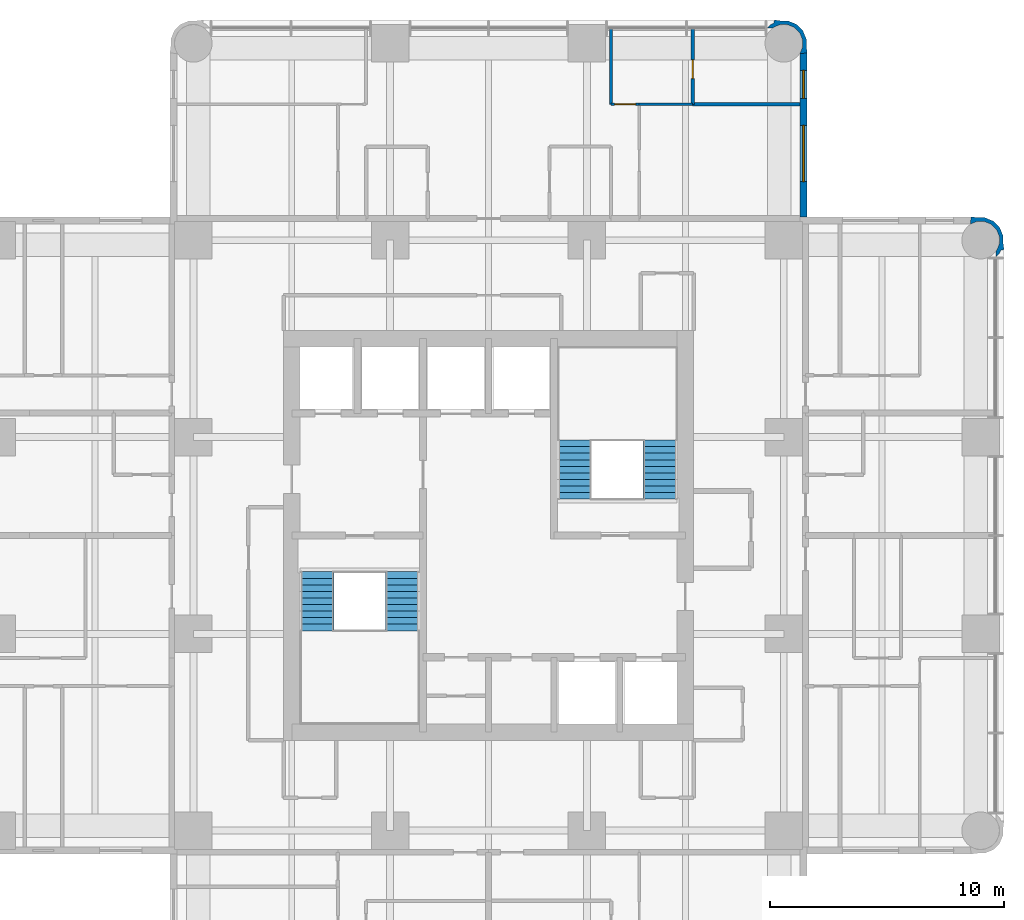
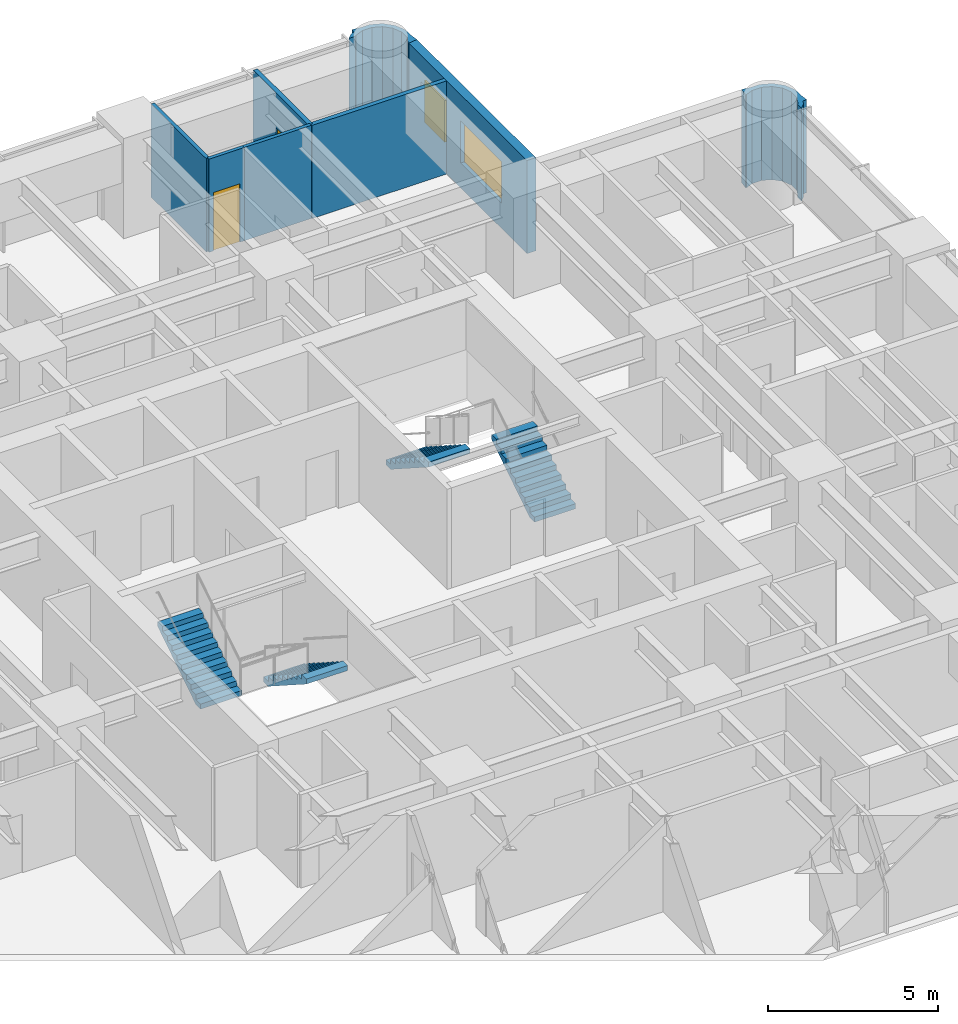
# One storey, part 10 of 11: 8 walls, 4 stair flights, 2 doors, 2 windows, 4 openings, 2 elements without a shape of their own.
"""IFC4 building model written with IfcOpenShell, lengths in metres."""

from ifc_helpers import new_model, si_unit, direction, frame, frame_2d, origin, place, context, subcontext, project, spatial, polyline, rectangle, outline, extrude, material, layer, layer_set, type_object, element, fill, aggregate, save


model = new_model("IFC4")

# Units and contexts
model_context = context("Model", 3, precision=1e-05, world=origin(), true_north=direction((0.0, 1.0)))
body_context = subcontext(model_context, "Body", "Model", "MODEL_VIEW")
ifc_project = project(units=[si_unit("LENGTHUNIT", "METRE"), si_unit("AREAUNIT", "SQUARE_METRE"), si_unit("VOLUMEUNIT", "CUBIC_METRE"), si_unit("PLANEANGLEUNIT", "RADIAN"), si_unit("MASSUNIT", "GRAM", prefix="KILO")], contexts=[model_context])

# Site, building, storey
site_placement = place(None, origin())
site = spatial("IfcSite", under=ifc_project, at=site_placement, CompositionType="ELEMENT")
building_placement = place(site_placement, origin())
building = spatial("IfcBuilding", under=site, at=building_placement, Name="Torre Alcanfor", CompositionType="ELEMENT")
storey_placement = place(building_placement, frame((0.0, 0.0, 244.5)))
storey = spatial("IfcBuildingStorey", under=building, at=storey_placement, Name="L64", CompositionType="ELEMENT", Elevation=244.5)

# Wall
ifc_material_1 = material(Name="Gypsum board on steel studs", Category="steel")
ifc_layer_1 = layer(ifc_material_1, 0.1201171875)
ifc_layer_set_1 = layer_set([ifc_layer_1], Name="Apartment partition 120")
wall_type_1 = type_object("IfcWallType", Name="Apartment partition 120", PredefinedType="PARTITIONING", material=ifc_layer_set_1)
wall_1_placement = place(storey_placement, frame((34.62890625, 51.050048828125, 0.0), z_axis=(0.0, 0.0, 1.0), x_axis=(0.0, -1.0, 0.0)))
element("IfcWall", 1, at=wall_1_placement, inside=storey, type_object=wall_type_1, Name="Partition L64-NX-LIVING / L64-NX-BED1", PredefinedType="PARTITIONING", context=body_context, shape_type="SweptSolid", body=[
    extrude(rectangle(XDim=3.25, YDim=0.1201171875, at=frame_2d((1.625, 0.0))), origin(), (0.0, 0.0, 1.0), 3.35009765625),
])

# Wall, opening, door
wall_2_placement = place(storey_placement, frame((34.62890625, 47.800048828125, 0.0), z_axis=(0.0, 0.0, 1.0), x_axis=(1.0, 0.0, 0.0)))
wall_2 = element("IfcWall", 2, at=wall_2_placement, inside=storey, type_object=wall_type_1, Name="Partition L64-NX-LIVING / L64-NX-BED1", PredefinedType="PARTITIONING", context=body_context, shape_type="SweptSolid", body=[
    extrude(rectangle(XDim=1.2001953125, YDim=0.1201171875, at=frame_2d((0.60009765625, 0.0))), origin(), (0.0, 0.0, 1.0), 3.35009765625),
])
opening_1_placement = place(wall_2_placement, frame((0.15087890625, 0.0, 0.0)))
opening_1 = element("IfcOpeningElement", 3, at=opening_1_placement, cuts=wall_2, Name="Opening D-R1", PredefinedType="OPENING", context=body_context, shape_type="SweptSolid", body=[
    extrude(rectangle(XDim=0.89990234375, YDim=2.10009765625, at=frame_2d((0.449951171875, 1.050048828125))), frame((0.0, 0.070068359375, 0.0), z_axis=(0.0, -1.0, 0.0), x_axis=(1.0, 0.0, 0.0)), (0.0, 0.0, 1.0), 0.14013671875),
])
ifc_material_2 = material(Name="Timber", Category="wood")
door_type_1 = type_object("IfcDoorType", Name="Internal door 900x2100", OperationType="SINGLE_SWING_LEFT", PredefinedType="DOOR", material=ifc_material_2)
door_1_placement = place(opening_1_placement, origin())
door_1 = element("IfcDoor", 4, at=door_1_placement, inside=storey, type_object=door_type_1, Name="Door L64-NX bed1", OperationType="SINGLE_SWING_LEFT", OverallHeight=2.10009765625, OverallWidth=0.89990234375, PredefinedType="DOOR", context=body_context, shape_type="SweptSolid", body=[
    extrude(rectangle(XDim=0.89990234375, YDim=2.10009765625, at=frame_2d((0.449951171875, 1.050048828125))), frame((0.0, 0.02490234375, 0.0), z_axis=(0.0, -1.0, 0.0), x_axis=(1.0, 0.0, 0.0)), (0.0, 0.0, 1.0), 0.050048828125),
])
fill(opening_1, door_1)

# Wall
wall_3_placement = place(storey_placement, frame((38.114013671875, 47.800048828125, 0.0), z_axis=(0.0, 0.0, 1.0), x_axis=(-1.0, 0.0, 0.0)))
element("IfcWall", 5, at=wall_3_placement, inside=storey, type_object=wall_type_1, Name="Partition L64-NX-BED3 / L64-NX-BED1", PredefinedType="PARTITIONING", context=body_context, shape_type="SweptSolid", body=[
    extrude(rectangle(XDim=2.284912109375, YDim=0.1201171875, at=frame_2d((1.142578125, 0.0))), origin(), (0.0, 0.0, 1.0), 3.35009765625),
])

# Wall, openings, windows
ifc_material_3 = material(Name="Limestone cladding", Category="masonry")
ifc_layer_2 = layer(ifc_material_3, 0.0400390625, Name="Facing")
ifc_material_4 = material(Name="Ventilated air cavity")
ifc_layer_3 = layer(ifc_material_4, 0.02001953125, ventilated=True, Name="Ventilated joint")
ifc_material_5 = material(Name="Mineral wool insulation", Category="insulation")
ifc_layer_4 = layer(ifc_material_5, 0.10009765625, Name="Insulation")
ifc_material_6 = material(Name="Concrete f'c 35 MPa", Category="concrete")
ifc_layer_5 = layer(ifc_material_6, 0.139892578125, Name="Backing")
ifc_layer_set_2 = layer_set([ifc_layer_2, ifc_layer_3, ifc_layer_4, ifc_layer_5], Name="External wall stone-clad 300")
wall_type_2 = type_object("IfcWallType", Name="External wall stone-clad 300", PredefinedType="SOLIDWALL", material=ifc_layer_set_2)
wall_4_placement = place(storey_placement, frame((42.85009765625, 43.0, 0.0), z_axis=(0.0, 0.0, 1.0), x_axis=(0.0, 1.0, 0.0)))
wall_4 = element("IfcWall", 6, at=wall_4_placement, inside=storey, type_object=wall_type_2, Name="External wall L64 10", PredefinedType="SOLIDWALL", context=body_context, shape_type="SweptSolid", body=[
    extrude(rectangle(XDim=7.0, YDim=0.300048828125, at=frame_2d((3.5, 0.0))), origin(), (0.0, 0.0, 1.0), 3.35009765625),
])
opening_2_placement = place(wall_4_placement, frame((1.5, 0.0, 0.89990234375)))
opening_2 = element("IfcOpeningElement", 7, at=opening_2_placement, cuts=wall_4, Name="Opening W1", PredefinedType="OPENING", context=body_context, shape_type="SweptSolid", body=[
    extrude(rectangle(XDim=2.39990234375, YDim=1.5, at=frame_2d((1.199951171875, 0.75))), frame((0.0, 0.159912109375, 0.0), z_axis=(0.0, -1.0, 0.0), x_axis=(1.0, 0.0, 0.0)), (0.0, 0.0, 1.0), 0.320068359375),
])
opening_3_placement = place(wall_4_placement, frame((5.050048828125, 0.0, 0.89990234375)))
opening_3 = element("IfcOpeningElement", 8, at=opening_3_placement, cuts=wall_4, Name="Opening W4", PredefinedType="OPENING", context=body_context, shape_type="SweptSolid", body=[
    extrude(rectangle(XDim=1.199951171875, YDim=1.5, at=frame_2d((0.60009765625, 0.75))), frame((0.0, 0.159912109375, 0.0), z_axis=(0.0, -1.0, 0.0), x_axis=(1.0, 0.0, 0.0)), (0.0, 0.0, 1.0), 0.320068359375),
])
ifc_material_7 = material(Name="Aluminium frame with clear double glazing", Category="aluminium")
window_type_1 = type_object("IfcWindowType", Name="Window bedroom 1200x1500", PartitioningType="SINGLE_PANEL", PredefinedType="WINDOW", material=ifc_material_7)
window_1_placement = place(opening_3_placement, origin())
window_1 = element("IfcWindow", 9, at=window_1_placement, inside=storey, type_object=window_type_1, Name="Window W4 L64-N2", OverallHeight=1.5, OverallWidth=1.199951171875, PartitioningType="SINGLE_PANEL", PredefinedType="WINDOW", context=body_context, shape_type="SweptSolid", body=[
    extrude(rectangle(XDim=1.199951171875, YDim=1.5, at=frame_2d((0.60009765625, 0.75))), frame((0.0, 0.030029296875, 0.0), z_axis=(0.0, -1.0, 0.0), x_axis=(1.0, 0.0, 0.0)), (0.0, 0.0, 1.0), 0.06005859375),
])
fill(opening_3, window_1)
ifc_material_8 = material(Name="Aluminium frame with clear double glazing", Category="aluminium")
window_type_2 = type_object("IfcWindowType", Name="Window bedroom 2400x1500", PartitioningType="SINGLE_PANEL", PredefinedType="WINDOW", material=ifc_material_8)
window_2_placement = place(opening_2_placement, origin())
window_2 = element("IfcWindow", 10, at=window_2_placement, inside=storey, type_object=window_type_2, Name="Window W1 L64-N2", OverallHeight=1.5, OverallWidth=2.39990234375, PartitioningType="SINGLE_PANEL", PredefinedType="WINDOW", context=body_context, shape_type="SweptSolid", body=[
    extrude(rectangle(XDim=2.39990234375, YDim=1.5, at=frame_2d((1.199951171875, 0.75))), frame((0.0, 0.030029296875, 0.0), z_axis=(0.0, -1.0, 0.0), x_axis=(1.0, 0.0, 0.0)), (0.0, 0.0, 1.0), 0.06005859375),
])
fill(opening_2, window_2)

# Walls
ifc_layer_6 = layer(ifc_material_3, 0.0400390625, Name="Facing")
ifc_layer_7 = layer(ifc_material_4, 0.02001953125, ventilated=True, Name="Ventilated joint")
ifc_layer_8 = layer(ifc_material_5, 0.10009765625, Name="Insulation")
ifc_layer_9 = layer(ifc_material_6, 0.139892578125, Name="Backing")
ifc_layer_set_3 = layer_set([ifc_layer_6, ifc_layer_7, ifc_layer_8, ifc_layer_9], Name="Rounded corner pier stone-clad 300")
wall_type_3 = type_object("IfcWallType", Name="Rounded corner pier stone-clad 300", PredefinedType="SOLIDWALL", material=ifc_layer_set_3)
wall_5_placement = place(storey_placement, frame((50.995317512, 41.351928198, 0.0), z_axis=(0.0, 0.0, 1.0), x_axis=(0.93923434088, 0.343276641956, 0.0)))
element("IfcWall", 11, at=wall_5_placement, inside=storey, type_object=wall_type_3, Name="Corner pier L64 18", PredefinedType="SOLIDWALL", context=body_context, shape_type="SweptSolid", body=[
    extrude(outline(polyline([(0.532070859575347, 0.3931211644652769), (0.6306288016994257, 0.6627841490537395), (0.6143771848633752, 1.0443311048893273), (0.45345696635520466, 1.3906341192975507), (0.17231172366982617, 1.649090202748046), (-0.09758056617764022, 1.74773195264604), (-0.36909183345629537, 1.8895948858729632), (-0.5092390395564855, 1.6213555819315348), (-0.49066531357717813, 1.6145671522444172), (-0.47932809452638603, 1.6086040111878088), (-0.2113001838193056, 1.620076634704648), (0.08794317918064642, 1.5107074897455302), (0.32266524235562133, 1.295211990161107), (0.4568756133186334, 1.0059793555180252), (0.4702267622199973, 0.6876171339758476), (0.3609414250347944, 0.3886030762348993), (0.14544592545037124, 0.1538810130599244), (0.10810166675911574, 0.13633750707535794), (0.030998514757285493, -0.07462333120813314), (0.24109735984581876, 0.023005481286426002), (0.3334973043867029, 0.12362143657357082), (0.46519074604266464, 0.09420475511640602), (0.532070859575347, 0.3931211644652769)])), origin(), (0.0, 0.0, 1.0), 3.35009765625),
])
wall_6_placement = place(storey_placement, frame((42.817059488, 50.073176205, 0.0), z_axis=(0.0, 0.0, 1.0), x_axis=(0.343276641956, 0.93923434088, 0.0)))
element("IfcWall", 12, at=wall_6_placement, inside=storey, type_object=wall_type_3, Name="Corner pier L64 19", PredefinedType="SOLIDWALL", context=body_context, shape_type="SweptSolid", body=[
    extrude(outline(polyline([(0.2655808672444785, -0.0550807599050476), (0.5354731570919448, 0.04356098999294611), (0.8166183997773234, 0.30201707344344164), (0.9775386182854939, 0.6483200878516648), (0.9937902351215443, 1.0298670436872528), (0.8952322929974657, 1.2995300282757154), (0.8283521794647835, 1.5984464376245864), (0.6966587378088214, 1.5690297561674216), (0.6042587932679374, 1.6696457114545662), (0.39415994817940425, 1.7672745239491254), (0.47126310018123446, 1.5563136856656343), (0.50860735887249, 1.538770179681068), (0.7241028584569131, 1.304048116506093), (0.833388195642116, 1.0050340587651447), (0.8200370467407522, 0.686671837222967), (0.68582667577774, 0.3974392025798854), (0.4511046126027651, 0.18194370299546214), (0.15186124960281305, 0.07257455803634424), (-0.11616666110426738, 0.08404718155318341), (-0.12750388015505948, 0.07808404049657515), (-0.14607760613436685, 0.07129561080945748), (-0.0059304000341767055, -0.19694369313197083), (0.2655808672444785, -0.0550807599050476)])), origin(), (0.0, 0.0, 1.0), 3.35009765625),
])
ifc_material_9 = material(Name="Cement board on steel studs", Category="steel")
ifc_layer_10 = layer(ifc_material_9, 0.14990234375)
ifc_layer_set_4 = layer_set([ifc_layer_10], Name="Wet area partition 150")
wall_type_4 = type_object("IfcWallType", Name="Wet area partition 150", PredefinedType="PARTITIONING", material=ifc_layer_set_4)
wall_7_placement = place(storey_placement, frame((42.699951171875, 47.800048828125, 0.0), z_axis=(0.0, 0.0, 1.0), x_axis=(-1.0, 0.0, 0.0)))
element("IfcWall", 13, at=wall_7_placement, inside=storey, type_object=wall_type_4, Name="Partition L64-NX-BED3 / L64-NX-BATH1", PredefinedType="PARTITIONING", context=body_context, shape_type="SweptSolid", body=[
    extrude(rectangle(XDim=4.5859375, YDim=0.14990234375, at=frame_2d((2.29296875, 0.0))), origin(), (0.0, 0.0, 1.0), 3.35009765625),
])

# Wall, opening, door
wall_8_placement = place(storey_placement, frame((38.114013671875, 51.050048828125, 0.0), z_axis=(0.0, 0.0, 1.0), x_axis=(0.0, -1.0, 0.0)))
wall_8 = element("IfcWall", 14, at=wall_8_placement, inside=storey, type_object=wall_type_4, Name="Partition L64-NX-BATH1 / L64-NX-BED1", PredefinedType="PARTITIONING", context=body_context, shape_type="SweptSolid", body=[
    extrude(rectangle(XDim=3.25, YDim=0.14990234375, at=frame_2d((1.625, 0.0))), origin(), (0.0, 0.0, 1.0), 3.35009765625),
])
opening_4_placement = place(wall_8_placement, frame((1.35009765625, 0.0, 0.0)))
opening_4 = element("IfcOpeningElement", 15, at=opening_4_placement, cuts=wall_8, Name="Opening D-R2", PredefinedType="OPENING", context=body_context, shape_type="SweptSolid", body=[
    extrude(rectangle(XDim=0.800048828125, YDim=2.10009765625, at=frame_2d((0.39990234375, 1.050048828125))), frame((0.0, 0.0849609375, 0.0), z_axis=(0.0, -1.0, 0.0), x_axis=(1.0, 0.0, 0.0)), (0.0, 0.0, 1.0), 0.169921875),
])
ifc_material_10 = material(Name="Timber", Category="wood")
door_type_2 = type_object("IfcDoorType", Name="Bathroom door 800x2100", OperationType="SINGLE_SWING_LEFT", PredefinedType="DOOR", material=ifc_material_10)
door_2_placement = place(opening_4_placement, frame((0.800048828125, 0.0, 0.0), z_axis=(0.0, 0.0, 1.0), x_axis=(-1.0, 0.0, 0.0)))
door_2 = element("IfcDoor", 16, at=door_2_placement, inside=storey, type_object=door_type_2, Name="Door L64-NX bath1", OperationType="SINGLE_SWING_LEFT", OverallHeight=2.10009765625, OverallWidth=0.800048828125, PredefinedType="DOOR", context=body_context, shape_type="SweptSolid", body=[
    extrude(rectangle(XDim=0.800048828125, YDim=2.10009765625, at=frame_2d((0.400146484375, 1.050048828125))), frame((0.0, 0.025146484375, 0.0), z_axis=(0.0, -1.0, 0.0), x_axis=(1.0, 0.0, 0.0)), (0.0, 0.0, 1.0), 0.050048828125),
])
fill(opening_4, door_2)

# Stair, stair flights
ifc_material_11 = material(Name="Concrete f'c 35 MPa", Category="concrete")
stair_type_1 = type_object("IfcStairType", Name="Exit stair S1 1400 wide", PredefinedType="HALF_TURN_STAIR", material=ifc_material_11)
stair_1_placement = place(storey_placement, origin())
stair_1 = element("IfcStair", 17, at=stair_1_placement, inside=storey, type_object=stair_type_1, Name="Stair S1 L64 to L65", PredefinedType="HALF_TURN_STAIR")
ifc_material_12 = material(Name="Concrete f'c 35 MPa", Category="concrete")
stair_flight_type = type_object("IfcStairFlightType", Name="Stair flight 1400", PredefinedType="STRAIGHT", material=ifc_material_12)
stair_flight_1_placement = place(storey_placement, frame((25.699951171875, 27.85009765625, 0.0), z_axis=(0.0, 0.0, 1.0), x_axis=(0.0, -1.0, 0.0)))
stair_flight_1 = element("IfcStairFlight", 18, at=stair_flight_1_placement, type_object=stair_flight_type, Name="S1 flight 1", NumberOfRisers=10, NumberOfTreads=9, PredefinedType="STRAIGHT", RiserHeight=0.18, TreadLength=0.28, context=body_context, shape_type="SweptSolid", body=[
    extrude(outline(polyline([(0.0, 0.0), (0.0, 0.179931640625), (0.280029296875, 0.179931640625), (0.280029296875, 0.360107421875), (0.56005859375, 0.360107421875), (0.56005859375, 0.5400390625), (0.840087890625, 0.5400390625), (0.840087890625, 0.719970703125), (1.1201171875, 0.719970703125), (1.1201171875, 0.89990234375), (1.39990234375, 0.89990234375), (1.39990234375, 1.080078125), (1.679931640625, 1.080078125), (1.679931640625, 1.260009765625), (1.9599609375, 1.260009765625), (1.9599609375, 1.43994140625), (2.239990234375, 1.43994140625), (2.239990234375, 1.6201171875), (2.52001953125, 1.6201171875), (2.52001953125, 1.800048828125), (2.52001953125, 1.44189453125), (0.277099609375, 0.0), (0.0, 0.0)])), frame((0.0, 0.699951171875, 0.0), z_axis=(0.0, -1.0, 0.0), x_axis=(1.0, 0.0, 0.0)), (0.0, 0.0, 1.0), 1.39990234375),
])
stair_flight_2_placement = place(storey_placement, frame((22.10009765625, 25.330078125, 1.800048828125), z_axis=(0.0, 0.0, 1.0), x_axis=(0.0, 1.0, 0.0)))
stair_flight_2 = element("IfcStairFlight", 19, at=stair_flight_2_placement, type_object=stair_flight_type, Name="S1 flight 2", NumberOfRisers=10, NumberOfTreads=9, PredefinedType="STRAIGHT", RiserHeight=0.18, TreadLength=0.28, context=body_context, shape_type="SweptSolid", body=[
    extrude(outline(polyline([(0.0, 0.0), (0.0, 0.179931640625), (0.280029296875, 0.179931640625), (0.280029296875, 0.360107421875), (0.56005859375, 0.360107421875), (0.56005859375, 0.5400390625), (0.840087890625, 0.5400390625), (0.840087890625, 0.719970703125), (1.1201171875, 0.719970703125), (1.1201171875, 0.89990234375), (1.39990234375, 0.89990234375), (1.39990234375, 1.080078125), (1.679931640625, 1.080078125), (1.679931640625, 1.260009765625), (1.9599609375, 1.260009765625), (1.9599609375, 1.43994140625), (2.239990234375, 1.43994140625), (2.239990234375, 1.6201171875), (2.52001953125, 1.6201171875), (2.52001953125, 1.800048828125), (2.52001953125, 1.44189453125), (0.277099609375, 0.0), (0.0, 0.0)])), frame((0.0, 0.699951171875, 0.0), z_axis=(0.0, -1.0, 0.0), x_axis=(1.0, 0.0, 0.0)), (0.0, 0.0, 1.0), 1.39990234375),
])
aggregate(stair_1, [stair_flight_1, stair_flight_2])

ifc_material_13 = material(Name="Concrete f'c 35 MPa", Category="concrete")
stair_type_2 = type_object("IfcStairType", Name="Exit stair S2 1400 wide", PredefinedType="HALF_TURN_STAIR", material=ifc_material_13)
stair_2_placement = place(storey_placement, origin())
stair_2 = element("IfcStair", 20, at=stair_2_placement, inside=storey, type_object=stair_type_2, Name="Stair S2 L64 to L65", PredefinedType="HALF_TURN_STAIR")
stair_flight_3_placement = place(storey_placement, frame((36.699951171875, 30.949951171875, 0.0), z_axis=(0.0, 0.0, 1.0), x_axis=(0.0, 1.0, 0.0)))
stair_flight_3 = element("IfcStairFlight", 21, at=stair_flight_3_placement, type_object=stair_flight_type, Name="S2 flight 1", NumberOfRisers=10, NumberOfTreads=9, PredefinedType="STRAIGHT", RiserHeight=0.18, TreadLength=0.28, context=body_context, shape_type="SweptSolid", body=[
    extrude(outline(polyline([(0.0, 0.0), (0.0, 0.179931640625), (0.280029296875, 0.179931640625), (0.280029296875, 0.360107421875), (0.56005859375, 0.360107421875), (0.56005859375, 0.5400390625), (0.840087890625, 0.5400390625), (0.840087890625, 0.719970703125), (1.1201171875, 0.719970703125), (1.1201171875, 0.89990234375), (1.39990234375, 0.89990234375), (1.39990234375, 1.080078125), (1.679931640625, 1.080078125), (1.679931640625, 1.260009765625), (1.9599609375, 1.260009765625), (1.9599609375, 1.43994140625), (2.239990234375, 1.43994140625), (2.239990234375, 1.6201171875), (2.52001953125, 1.6201171875), (2.52001953125, 1.800048828125), (2.52001953125, 1.44189453125), (0.277099609375, 0.0), (0.0, 0.0)])), frame((0.0, 0.699951171875, 0.0), z_axis=(0.0, -1.0, 0.0), x_axis=(1.0, 0.0, 0.0)), (0.0, 0.0, 1.0), 1.39990234375),
])
stair_flight_4_placement = place(storey_placement, frame((33.10009765625, 33.469970703125, 1.800048828125), z_axis=(0.0, 0.0, 1.0), x_axis=(0.0, -1.0, 0.0)))
stair_flight_4 = element("IfcStairFlight", 22, at=stair_flight_4_placement, type_object=stair_flight_type, Name="S2 flight 2", NumberOfRisers=10, NumberOfTreads=9, PredefinedType="STRAIGHT", RiserHeight=0.18, TreadLength=0.28, context=body_context, shape_type="SweptSolid", body=[
    extrude(outline(polyline([(0.0, 0.0), (0.0, 0.179931640625), (0.280029296875, 0.179931640625), (0.280029296875, 0.360107421875), (0.56005859375, 0.360107421875), (0.56005859375, 0.5400390625), (0.840087890625, 0.5400390625), (0.840087890625, 0.719970703125), (1.1201171875, 0.719970703125), (1.1201171875, 0.89990234375), (1.39990234375, 0.89990234375), (1.39990234375, 1.080078125), (1.679931640625, 1.080078125), (1.679931640625, 1.260009765625), (1.9599609375, 1.260009765625), (1.9599609375, 1.43994140625), (2.239990234375, 1.43994140625), (2.239990234375, 1.6201171875), (2.52001953125, 1.6201171875), (2.52001953125, 1.800048828125), (2.52001953125, 1.44189453125), (0.277099609375, 0.0), (0.0, 0.0)])), frame((0.0, 0.699951171875, 0.0), z_axis=(0.0, -1.0, 0.0), x_axis=(1.0, 0.0, 0.0)), (0.0, 0.0, 1.0), 1.39990234375),
])
aggregate(stair_2, [stair_flight_3, stair_flight_4])

save(model, "model.ifc")
